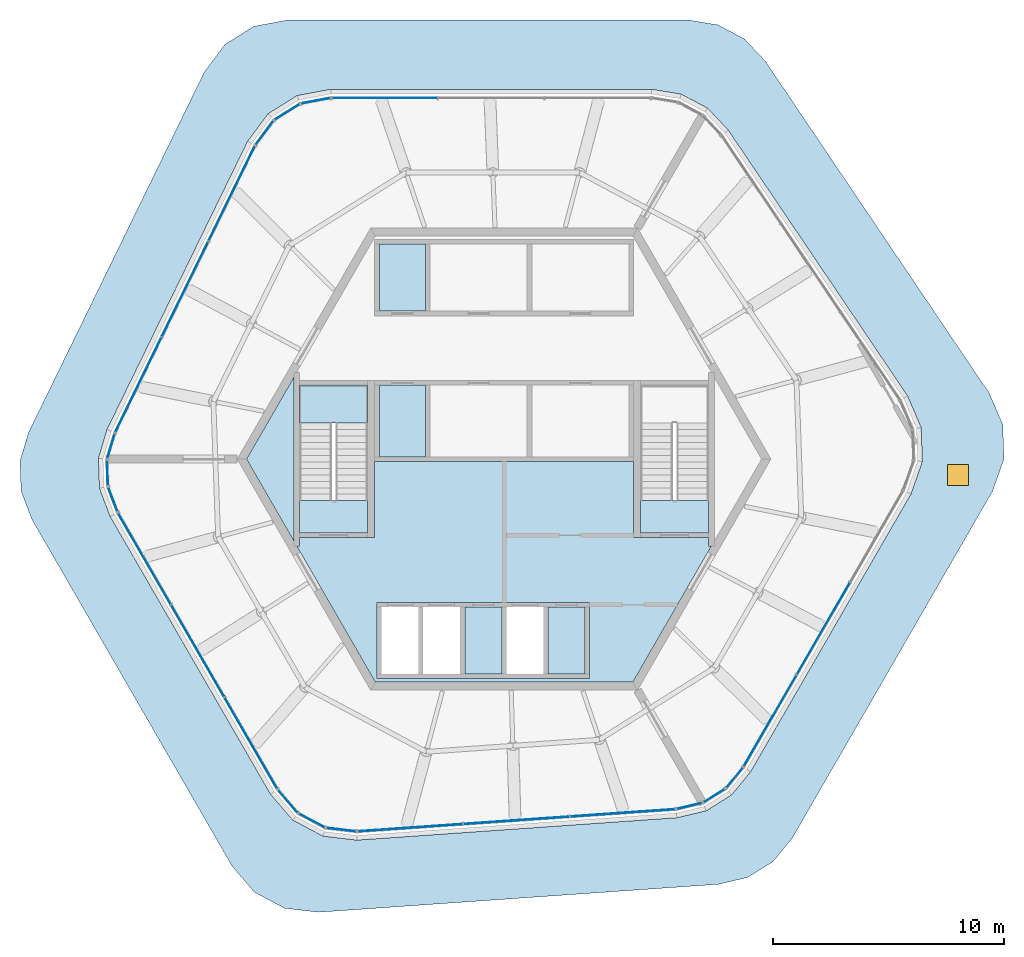
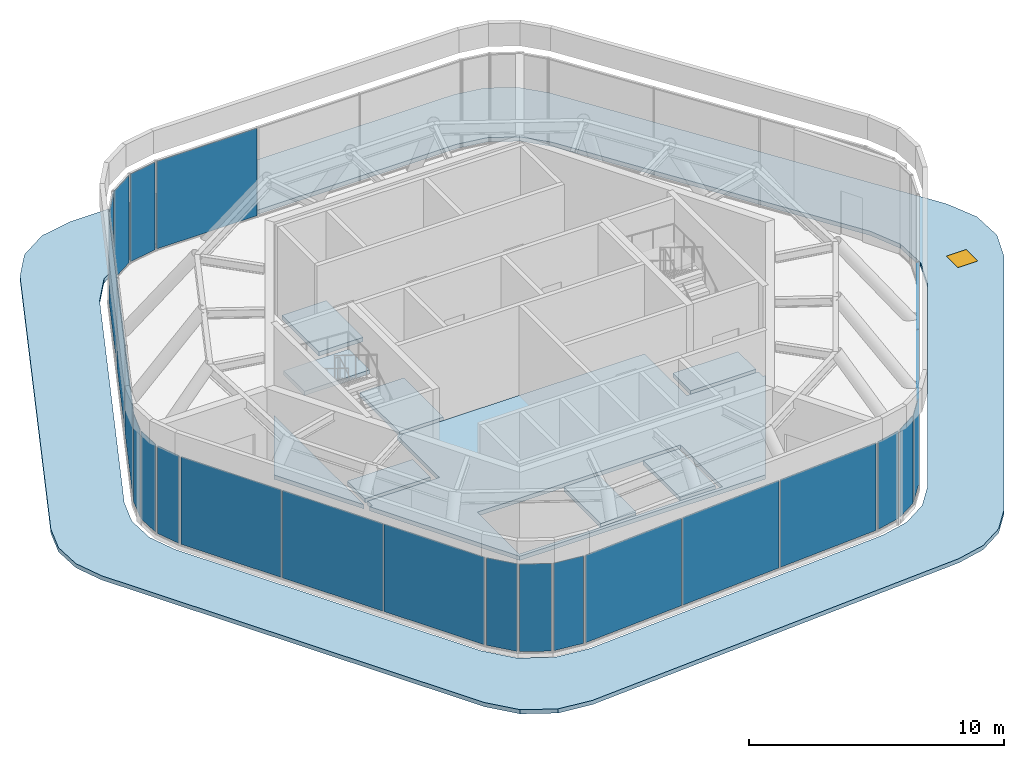
"""IFC4 building model written with IfcOpenShell, lengths in metres."""

from ifc_helpers import new_model, si_unit, direction, frame, origin, origin_2d, place, context, subcontext, project, spatial, polyline, rectangle, outline, extrude, material, layer, layer_set, type_object, element, fill, aggregate, save


model = new_model("IFC4")

# Units and contexts
model_context = context("Model", 3, precision=1e-05, world=origin(), true_north=direction((0.0, 1.0)))
body_context = subcontext(model_context, "Body", "Model", "MODEL_VIEW")
ifc_project = project(units=[si_unit("LENGTHUNIT", "METRE"), si_unit("AREAUNIT", "SQUARE_METRE"), si_unit("VOLUMEUNIT", "CUBIC_METRE"), si_unit("PLANEANGLEUNIT", "RADIAN"), si_unit("MASSUNIT", "GRAM", prefix="KILO")], contexts=[model_context])

# Site, building, storey
site_placement = place(None, origin())
site = spatial("IfcSite", under=ifc_project, at=site_placement, CompositionType="ELEMENT")
building_placement = place(site_placement, origin())
building = spatial("IfcBuilding", under=site, at=building_placement, Name="Tarnside Tower", CompositionType="ELEMENT")
storey_1_placement = place(building_placement, frame((0.0, 0.0, 397.199951171875)))
storey_1 = spatial("IfcBuildingStorey", under=building, at=storey_1_placement, Name="L94", CompositionType="ELEMENT", Elevation=397.199951171875)

# Slabs
ifc_material_1 = material(Name="Concrete C40/50", Category="concrete")
ifc_layer_1 = layer(ifc_material_1, 0.199951171875)
ifc_layer_set_1 = layer_set([ifc_layer_1], Name="Core crown slab C40/50")
slab_type_1 = type_object("IfcSlabType", Name="Core crown slab C40/50", PredefinedType="FLOOR", material=ifc_layer_set_1)
slab_1_placement = place(storey_1_placement, frame((0.0, 0.0, -0.199951171875)))
element("IfcSlab", 1, at=slab_1_placement, inside=storey_1, type_object=slab_type_1, Name="L94 core floor slab 2", PredefinedType="FLOOR", context=body_context, shape_type="SweptSolid", body=[
    extrude(outline(polyline([(-9.10009765625, -3.538330078125), (-11.142822265625, 0.0), (-9.10009765625, 3.538330078125), (-9.10009765625, -3.538330078125)])), origin(), (0.0, 0.0, 1.0), 0.199951171875),
])
slab_2_placement = place(storey_1_placement, frame((0.0, 0.0, -0.199951171875)))
element("IfcSlab", 2, at=slab_2_placement, inside=storey_1, type_object=slab_type_1, Name="L94 core floor slab 3", PredefinedType="FLOOR", context=body_context, shape_type="SweptSolid", body=[
    extrude(outline(polyline([(-8.85009765625, -3.7548828125), (-8.85009765625, -3.39990234375), (-5.89990234375, -3.39990234375), (-5.60009765625, -3.39990234375), (-5.60009765625, -0.10009765625), (5.60009765625, -0.10009765625), (5.60009765625, -3.39990234375), (5.89990234375, -3.39990234375), (8.85009765625, -3.39990234375), (8.85009765625, -3.7548828125), (8.97509765625, -3.7548828125), (5.5712890625, -9.64990234375), (-5.5712890625, -9.64990234375), (-8.97509765625, -3.7548828125), (-8.85009765625, -3.7548828125)]), holes=[polyline([(-5.5, -9.5), (3.699951171875, -9.5), (3.699951171875, -9.300048828125), (3.699951171875, -6.39990234375), (3.699951171875, -6.199951171875), (-5.5, -6.199951171875), (-5.5, -6.39990234375), (-5.5, -9.300048828125), (-5.5, -9.5)])]), origin(), (0.0, 0.0, 1.0), 0.199951171875),
])
slab_3_placement = place(storey_1_placement, frame((0.0, 0.0, -0.199951171875)))
element("IfcSlab", 3, at=slab_3_placement, inside=storey_1, type_object=slab_type_1, Name="L94 core floor slab 5", PredefinedType="FLOOR", context=body_context, shape_type="SweptSolid", body=[
    extrude(outline(polyline([(-3.39990234375, 3.199951171875), (-3.39990234375, 0.10009765625), (-5.39990234375, 0.10009765625), (-5.39990234375, 3.199951171875), (-3.39990234375, 3.199951171875)])), origin(), (0.0, 0.0, 1.0), 0.199951171875),
])
slab_4_placement = place(storey_1_placement, frame((0.0, 0.0, -0.199951171875)))
element("IfcSlab", 4, at=slab_4_placement, inside=storey_1, type_object=slab_type_1, Name="L94 core floor slab 6", PredefinedType="FLOOR", context=body_context, shape_type="SweptSolid", body=[
    extrude(outline(polyline([(-8.85009765625, -3.199951171875), (-8.85009765625, -1.800048828125), (-5.89990234375, -1.800048828125), (-5.89990234375, -3.199951171875), (-8.85009765625, -3.199951171875)])), origin(), (0.0, 0.0, 1.0), 0.199951171875),
])
slab_5_placement = place(storey_1_placement, frame((0.0, 0.0, -0.199951171875)))
element("IfcSlab", 5, at=slab_5_placement, inside=storey_1, type_object=slab_type_1, Name="L94 core floor slab 9", PredefinedType="FLOOR", context=body_context, shape_type="SweptSolid", body=[
    extrude(outline(polyline([(5.89990234375, -1.800048828125), (8.85009765625, -1.800048828125), (8.85009765625, -3.199951171875), (5.89990234375, -3.199951171875), (5.89990234375, -1.800048828125)])), origin(), (0.0, 0.0, 1.0), 0.199951171875),
])
slab_6_placement = place(storey_1_placement, frame((0.0, 0.0, -0.199951171875)))
element("IfcSlab", 6, at=slab_6_placement, inside=storey_1, type_object=slab_type_1, Name="L94 core floor slab 10", PredefinedType="FLOOR", context=body_context, shape_type="SweptSolid", body=[
    extrude(outline(polyline([(3.5, -9.300048828125), (1.89990234375, -9.300048828125), (1.89990234375, -6.39990234375), (3.5, -6.39990234375), (3.5, -9.300048828125)])), origin(), (0.0, 0.0, 1.0), 0.199951171875),
])
slab_7_placement = place(storey_1_placement, frame((0.0, 0.0, -0.199951171875)))
element("IfcSlab", 7, at=slab_7_placement, inside=storey_1, type_object=slab_type_1, Name="L94 core floor slab 11", PredefinedType="FLOOR", context=body_context, shape_type="SweptSolid", body=[
    extrude(outline(polyline([(-0.10009765625, -9.300048828125), (-1.699951171875, -9.300048828125), (-1.699951171875, -6.39990234375), (-0.10009765625, -6.39990234375), (-0.10009765625, -9.300048828125)])), origin(), (0.0, 0.0, 1.0), 0.199951171875),
])
slab_8_placement = place(storey_1_placement, frame((0.0, 0.0, -0.199951171875)))
element("IfcSlab", 8, at=slab_8_placement, inside=storey_1, type_object=slab_type_1, Name="L94 core floor slab 12", PredefinedType="FLOOR", context=body_context, shape_type="SweptSolid", body=[
    extrude(outline(polyline([(-3.39990234375, 9.300048828125), (-3.39990234375, 6.39990234375), (-5.39990234375, 6.39990234375), (-5.39990234375, 9.300048828125), (-3.39990234375, 9.300048828125)])), origin(), (0.0, 0.0, 1.0), 0.199951171875),
])

# Curtain wall, plate
ifc_material_2 = material(Name="Crown glazing wall", Category="glass")
curtain_wall_type = type_object("IfcCurtainWallType", Name="Crown glazing wall", PredefinedType="NOTDEFINED", material=ifc_material_2)
curtain_wall_1_placement = place(storey_1_placement, origin())
curtain_wall_1 = element("IfcCurtainWall", 9, at=curtain_wall_1_placement, inside=storey_1, type_object=curtain_wall_type, Name="Crown glazing L94 09", PredefinedType="NOTDEFINED")
ifc_material_3 = material(Name="Low-iron safety glass", Category="glass")
ifc_layer_2 = layer(ifc_material_3, 0.028076171875)
ifc_layer_set_2 = layer_set([ifc_layer_2], Name="Crown glazing panel 28")
plate_type_1 = type_object("IfcPlateType", Name="Crown glazing panel 28", PredefinedType="CURTAIN_PANEL", material=ifc_layer_set_2)
plate_1_placement = place(storey_1_placement, frame((9.97607421875, -13.787109375, 0.05029296875), z_axis=(0.0, 0.0, 1.0), x_axis=(-0.633830967178, -0.773471592915, 0.0)))
plate_1 = element("IfcPlate", 10, at=plate_1_placement, type_object=plate_type_1, Name="CW6 panel 1.1", PredefinedType="CURTAIN_PANEL", context=body_context, shape_type="SweptSolid", body=[
    extrude(rectangle(XDim=1.0947265625, YDim=0.028076171875, at=origin_2d()), origin(), (0.0, 0.0, 1.0), 4.199951171875),
])
aggregate(curtain_wall_1, [plate_1])

curtain_wall_2_placement = place(storey_1_placement, origin())
curtain_wall_2 = element("IfcCurtainWall", 11, at=curtain_wall_2_placement, inside=storey_1, type_object=curtain_wall_type, Name="Crown glazing L94 10", PredefinedType="NOTDEFINED")
plate_2_placement = place(storey_1_placement, frame((9.0986328125, -14.560791015625, 0.05029296875), z_axis=(0.0, 0.0, 1.0), x_axis=(-0.84804809624, -0.5299192641, 0.0)))
plate_2 = element("IfcPlate", 12, at=plate_2_placement, type_object=plate_type_1, Name="CW6 panel 1.1", PredefinedType="CURTAIN_PANEL", context=body_context, shape_type="SweptSolid", body=[
    extrude(rectangle(XDim=1.076416015625, YDim=0.028076171875, at=origin_2d()), origin(), (0.0, 0.0, 1.0), 4.199951171875),
])
aggregate(curtain_wall_2, [plate_2])

curtain_wall_3_placement = place(storey_1_placement, origin())
curtain_wall_3 = element("IfcCurtainWall", 13, at=curtain_wall_3_placement, inside=storey_1, type_object=curtain_wall_type, Name="Crown glazing L94 11", PredefinedType="NOTDEFINED")
plate_3_placement = place(storey_1_placement, frame((8.0185546875, -15.01025390625, 0.05029296875), z_axis=(0.0, 0.0, 1.0), x_axis=(-0.973044870658, -0.230615870414, 0.0)))
plate_3 = element("IfcPlate", 14, at=plate_3_placement, type_object=plate_type_1, Name="CW6 panel 1.1", PredefinedType="CURTAIN_PANEL", context=body_context, shape_type="SweptSolid", body=[
    extrude(rectangle(XDim=1.0947265625, YDim=0.028076171875, at=origin_2d()), origin(), (0.0, 0.0, 1.0), 4.199951171875),
])
aggregate(curtain_wall_3, [plate_3])

curtain_wall_4_placement = place(storey_1_placement, origin())
curtain_wall_4 = element("IfcCurtainWall", 15, at=curtain_wall_4_placement, inside=storey_1, type_object=curtain_wall_type, Name="Crown glazing L94 13", PredefinedType="NOTDEFINED")
plate_4_placement = place(storey_1_placement, frame((-7.04638671875, -16.034423828125, 0.05029296875), z_axis=(0.0, 0.0, 1.0), x_axis=(-0.993238357745, 0.116092914096, 0.0)))
plate_4 = element("IfcPlate", 16, at=plate_4_placement, type_object=plate_type_1, Name="CW6 panel 1.1", PredefinedType="CURTAIN_PANEL", context=body_context, shape_type="SweptSolid", body=[
    extrude(rectangle(XDim=1.26318359375, YDim=0.028076171875, at=origin_2d()), origin(), (0.0, 0.0, 1.0), 4.199951171875),
])
aggregate(curtain_wall_4, [plate_4])

curtain_wall_5_placement = place(storey_1_placement, origin())
curtain_wall_5 = element("IfcCurtainWall", 17, at=curtain_wall_5_placement, inside=storey_1, type_object=curtain_wall_type, Name="Crown glazing L94 14", PredefinedType="NOTDEFINED")
plate_5_placement = place(storey_1_placement, frame((-8.31591796875, -15.64013671875, 0.05029296875), z_axis=(0.0, 0.0, 1.0), x_axis=(-0.882947592695, 0.469471563094, 0.0)))
plate_5 = element("IfcPlate", 18, at=plate_5_placement, type_object=plate_type_1, Name="CW6 panel 1.1", PredefinedType="CURTAIN_PANEL", context=body_context, shape_type="SweptSolid", body=[
    extrude(rectangle(XDim=1.242431640625, YDim=0.028076171875, at=origin_2d()), origin(), (0.0, 0.0, 1.0), 4.199951171875),
])
aggregate(curtain_wall_5, [plate_5])

curtain_wall_6_placement = place(storey_1_placement, origin())
curtain_wall_6 = element("IfcCurtainWall", 19, at=curtain_wall_6_placement, inside=storey_1, type_object=curtain_wall_type, Name="Crown glazing L94 15", PredefinedType="NOTDEFINED")
plate_6_placement = place(storey_1_placement, frame((-9.352783203125, -14.80810546875, 0.05029296875), z_axis=(0.0, 0.0, 1.0), x_axis=(-0.651657228945, 0.758513583243, 0.0)))
plate_6 = element("IfcPlate", 20, at=plate_6_placement, type_object=plate_type_1, Name="CW6 panel 1.1", PredefinedType="CURTAIN_PANEL", context=body_context, shape_type="SweptSolid", body=[
    extrude(rectangle(XDim=1.26318359375, YDim=0.028076171875, at=origin_2d()), origin(), (0.0, 0.0, 1.0), 4.199951171875),
])
aggregate(curtain_wall_6, [plate_6])

curtain_wall_7_placement = place(storey_1_placement, origin())
curtain_wall_7 = element("IfcCurtainWall", 21, at=curtain_wall_7_placement, inside=storey_1, type_object=curtain_wall_type, Name="Crown glazing L94 17", PredefinedType="NOTDEFINED")
plate_7_placement = place(storey_1_placement, frame((-16.927978515625, -1.74609375, 0.05029296875), z_axis=(0.0, 0.0, 1.0), x_axis=(-0.352930564752, 0.935649515825, 0.0)))
plate_7 = element("IfcPlate", 22, at=plate_7_placement, type_object=plate_type_1, Name="CW6 panel 1.1", PredefinedType="CURTAIN_PANEL", context=body_context, shape_type="SweptSolid", body=[
    extrude(rectangle(XDim=1.0947265625, YDim=0.028076171875, at=origin_2d()), origin(), (0.0, 0.0, 1.0), 4.199951171875),
])
aggregate(curtain_wall_7, [plate_7])

curtain_wall_8_placement = place(storey_1_placement, origin())
curtain_wall_8 = element("IfcCurtainWall", 23, at=curtain_wall_8_placement, inside=storey_1, type_object=curtain_wall_type, Name="Crown glazing L94 18", PredefinedType="NOTDEFINED")
plate_8_placement = place(storey_1_placement, frame((-17.159423828125, -0.59912109375, 0.05029296875), z_axis=(0.0, 0.0, 1.0), x_axis=(-0.034899496232, 0.999390827036, 0.0)))
plate_8 = element("IfcPlate", 24, at=plate_8_placement, type_object=plate_type_1, Name="CW6 panel 1.1", PredefinedType="CURTAIN_PANEL", context=body_context, shape_type="SweptSolid", body=[
    extrude(rectangle(XDim=1.076416015625, YDim=0.028076171875, at=origin_2d()), origin(), (0.0, 0.0, 1.0), 4.199951171875),
])
aggregate(curtain_wall_8, [plate_8])

curtain_wall_9_placement = place(storey_1_placement, origin())
curtain_wall_9 = element("IfcCurtainWall", 25, at=curtain_wall_9_placement, inside=storey_1, type_object=curtain_wall_type, Name="Crown glazing L94 19", PredefinedType="NOTDEFINED")
plate_9_placement = place(storey_1_placement, frame((-17.008544921875, 0.560791015625, 0.05029296875), z_axis=(0.0, 0.0, 1.0), x_axis=(0.286803232884, 0.957989512264, 0.0)))
plate_9 = element("IfcPlate", 26, at=plate_9_placement, type_object=plate_type_1, Name="CW6 panel 1.1", PredefinedType="CURTAIN_PANEL", context=body_context, shape_type="SweptSolid", body=[
    extrude(rectangle(XDim=1.0947265625, YDim=0.028076171875, at=origin_2d()), origin(), (0.0, 0.0, 1.0), 4.199951171875),
])
aggregate(curtain_wall_9, [plate_9])

curtain_wall_10_placement = place(storey_1_placement, origin())
curtain_wall_10 = element("IfcCurtainWall", 27, at=curtain_wall_10_placement, inside=storey_1, type_object=curtain_wall_type, Name="Crown glazing L94 21", PredefinedType="NOTDEFINED")
plate_10_placement = place(storey_1_placement, frame((-10.363037109375, 14.11962890625, 0.05029296875), z_axis=(0.0, 0.0, 1.0), x_axis=(0.597158591567, 0.802123192856, 0.0)))
plate_10 = element("IfcPlate", 28, at=plate_10_placement, type_object=plate_type_1, Name="CW6 panel 1.1", PredefinedType="CURTAIN_PANEL", context=body_context, shape_type="SweptSolid", body=[
    extrude(rectangle(XDim=1.26318359375, YDim=0.028076171875, at=origin_2d()), origin(), (0.0, 0.0, 1.0), 4.199951171875),
])
aggregate(curtain_wall_10, [plate_10])

curtain_wall_11_placement = place(storey_1_placement, origin())
curtain_wall_11 = element("IfcCurtainWall", 29, at=curtain_wall_11_placement, inside=storey_1, type_object=curtain_wall_type, Name="Crown glazing L94 22", PredefinedType="NOTDEFINED")
plate_11_placement = place(storey_1_placement, frame((-9.38671875, 15.02197265625, 0.05029296875), z_axis=(0.0, 0.0, 1.0), x_axis=(0.848048096203, 0.529919264159, 0.0)))
plate_11 = element("IfcPlate", 30, at=plate_11_placement, type_object=plate_type_1, Name="CW6 panel 1.1", PredefinedType="CURTAIN_PANEL", context=body_context, shape_type="SweptSolid", body=[
    extrude(rectangle(XDim=1.242431640625, YDim=0.028076171875, at=origin_2d()), origin(), (0.0, 0.0, 1.0), 4.199951171875),
])
aggregate(curtain_wall_11, [plate_11])

curtain_wall_12_placement = place(storey_1_placement, origin())
curtain_wall_12 = element("IfcCurtainWall", 31, at=curtain_wall_12_placement, inside=storey_1, type_object=curtain_wall_type, Name="Crown glazing L94 23", PredefinedType="NOTDEFINED")
plate_12_placement = place(storey_1_placement, frame((-8.147705078125, 15.50390625, 0.05029296875), z_axis=(0.0, 0.0, 1.0), x_axis=(0.982720646738, 0.185094922879, 0.0)))
plate_12 = element("IfcPlate", 32, at=plate_12_placement, type_object=plate_type_1, Name="CW6 panel 1.1", PredefinedType="CURTAIN_PANEL", context=body_context, shape_type="SweptSolid", body=[
    extrude(rectangle(XDim=1.26318359375, YDim=0.028076171875, at=origin_2d()), origin(), (0.0, 0.0, 1.0), 4.199951171875),
])
aggregate(curtain_wall_12, [plate_12])

curtain_wall_13_placement = place(storey_1_placement, origin())
curtain_wall_13 = element("IfcCurtainWall", 33, at=curtain_wall_13_placement, inside=storey_1, type_object=curtain_wall_type, Name="Crown glazing L94 00", PredefinedType="NOTDEFINED")
ifc_material_4 = material(Name="Insulated aluminium panel", Category="aluminium")
ifc_layer_3 = layer(ifc_material_4, 0.028076171875)
ifc_layer_set_3 = layer_set([ifc_layer_3], Name="Crown glazing spandrel panel 28")
plate_type_2 = type_object("IfcPlateType", Name="Crown glazing spandrel panel 28", PredefinedType="CURTAIN_PANEL", material=ifc_layer_set_3)
plate_13_placement = place(storey_1_placement, frame((-5.15869140625, 15.6298828125, 0.05029296875), z_axis=(0.0, 0.0, 1.0), x_axis=(1.0, 0.0, 0.0)))
plate_13 = element("IfcPlate", 34, at=plate_13_placement, type_object=plate_type_2, Name="CW6 panel 1.1", PredefinedType="CURTAIN_PANEL", context=body_context, shape_type="SweptSolid", body=[
    extrude(rectangle(XDim=4.53857421875, YDim=0.028076171875, at=origin_2d()), origin(), (0.0, 0.0, 1.0), 4.199951171875),
])
aggregate(curtain_wall_13, [plate_13])

# Curtain wall, plates
curtain_wall_14_placement = place(storey_1_placement, origin())
curtain_wall_14 = element("IfcCurtainWall", 35, at=curtain_wall_14_placement, inside=storey_1, type_object=curtain_wall_type, Name="Crown glazing L94 08", PredefinedType="NOTDEFINED")
plate_14_placement = place(storey_1_placement, frame((13.814697265625, -7.33203125, 0.05029296875), z_axis=(0.0, 0.0, 1.0), x_axis=(-0.500000000015, -0.866025403776, 0.0)))
plate_14 = element("IfcPlate", 36, at=plate_14_placement, type_object=plate_type_2, Name="CW6 panel 2.1", PredefinedType="CURTAIN_PANEL", context=body_context, shape_type="SweptSolid", body=[
    extrude(rectangle(XDim=4.5634765625, YDim=0.028076171875, at=origin_2d()), origin(), (0.0, 0.0, 1.0), 4.199951171875),
])
plate_15_placement = place(storey_1_placement, frame((11.514404296875, -11.316650390625, 0.05029296875), z_axis=(0.0, 0.0, 1.0), x_axis=(-0.500000000015, -0.866025403776, 0.0)))
plate_15 = element("IfcPlate", 37, at=plate_15_placement, type_object=plate_type_2, Name="CW6 panel 3.1", PredefinedType="CURTAIN_PANEL", context=body_context, shape_type="SweptSolid", body=[
    extrude(rectangle(XDim=4.53857421875, YDim=0.028076171875, at=origin_2d()), origin(), (0.0, 0.0, 1.0), 4.199951171875),
])
aggregate(curtain_wall_14, [plate_14, plate_15])

curtain_wall_15_placement = place(storey_1_placement, origin())
curtain_wall_15 = element("IfcCurtainWall", 38, at=curtain_wall_15_placement, inside=storey_1, type_object=curtain_wall_type, Name="Crown glazing L94 12", PredefinedType="NOTDEFINED")
plate_16_placement = place(storey_1_placement, frame((5.123779296875, -15.309814453125, 0.05029296875), z_axis=(0.0, 0.0, 1.0), x_axis=(-0.997564050259, -0.069756473762, 0.0)))
plate_16 = element("IfcPlate", 39, at=plate_16_placement, type_object=plate_type_2, Name="CW6 panel 1.1", PredefinedType="CURTAIN_PANEL", context=body_context, shape_type="SweptSolid", body=[
    extrude(rectangle(XDim=4.53857421875, YDim=0.028076171875, at=origin_2d()), origin(), (0.0, 0.0, 1.0), 4.199951171875),
])
plate_17_placement = place(storey_1_placement, frame((0.533935546875, -15.630859375, 0.05029296875), z_axis=(0.0, 0.0, 1.0), x_axis=(-0.997564050259, -0.069756473762, 0.0)))
plate_17 = element("IfcPlate", 40, at=plate_17_placement, type_object=plate_type_2, Name="CW6 panel 2.1", PredefinedType="CURTAIN_PANEL", context=body_context, shape_type="SweptSolid", body=[
    extrude(rectangle(XDim=4.5634765625, YDim=0.028076171875, at=origin_2d()), origin(), (0.0, 0.0, 1.0), 4.199951171875),
])
plate_18_placement = place(storey_1_placement, frame((-4.055908203125, -15.95166015625, 0.05029296875), z_axis=(0.0, 0.0, 1.0), x_axis=(-0.997564050259, -0.069756473762, 0.0)))
plate_18 = element("IfcPlate", 41, at=plate_18_placement, type_object=plate_type_2, Name="CW6 panel 3.1", PredefinedType="CURTAIN_PANEL", context=body_context, shape_type="SweptSolid", body=[
    extrude(rectangle(XDim=4.53857421875, YDim=0.028076171875, at=origin_2d()), origin(), (0.0, 0.0, 1.0), 4.199951171875),
])
aggregate(curtain_wall_15, [plate_16, plate_17, plate_18])

curtain_wall_16_placement = place(storey_1_placement, origin())
curtain_wall_16 = element("IfcCurtainWall", 42, at=curtain_wall_16_placement, inside=storey_1, type_object=curtain_wall_type, Name="Crown glazing L94 16", PredefinedType="NOTDEFINED")
plate_19_placement = place(storey_1_placement, frame((-10.95654296875, -12.282470703125, 0.05029296875), z_axis=(0.0, 0.0, 1.0), x_axis=(-0.500000000015, 0.866025403776, 0.0)))
plate_19 = element("IfcPlate", 43, at=plate_19_placement, type_object=plate_type_2, Name="CW6 panel 1.1", PredefinedType="CURTAIN_PANEL", context=body_context, shape_type="SweptSolid", body=[
    extrude(rectangle(XDim=4.53857421875, YDim=0.028076171875, at=origin_2d()), origin(), (0.0, 0.0, 1.0), 4.199951171875),
])
plate_20_placement = place(storey_1_placement, frame((-13.257080078125, -8.2978515625, 0.05029296875), z_axis=(0.0, 0.0, 1.0), x_axis=(-0.500000000015, 0.866025403776, 0.0)))
plate_20 = element("IfcPlate", 44, at=plate_20_placement, type_object=plate_type_2, Name="CW6 panel 2.1", PredefinedType="CURTAIN_PANEL", context=body_context, shape_type="SweptSolid", body=[
    extrude(rectangle(XDim=4.5634765625, YDim=0.028076171875, at=origin_2d()), origin(), (0.0, 0.0, 1.0), 4.199951171875),
])
plate_21_placement = place(storey_1_placement, frame((-15.5576171875, -4.3134765625, 0.05029296875), z_axis=(0.0, 0.0, 1.0), x_axis=(-0.500000000015, 0.866025403776, 0.0)))
plate_21 = element("IfcPlate", 45, at=plate_21_placement, type_object=plate_type_2, Name="CW6 panel 3.1", PredefinedType="CURTAIN_PANEL", context=body_context, shape_type="SweptSolid", body=[
    extrude(rectangle(XDim=4.53857421875, YDim=0.028076171875, at=origin_2d()), origin(), (0.0, 0.0, 1.0), 4.199951171875),
])
aggregate(curtain_wall_16, [plate_19, plate_20, plate_21])

curtain_wall_17_placement = place(storey_1_placement, origin())
curtain_wall_17 = element("IfcCurtainWall", 46, at=curtain_wall_17_placement, inside=storey_1, type_object=curtain_wall_type, Name="Crown glazing L94 20", PredefinedType="NOTDEFINED")
plate_22_placement = place(storey_1_placement, frame((-15.820556640625, 3.217529296875, 0.05029296875), z_axis=(0.0, 0.0, 1.0), x_axis=(0.438371146742, 0.898794046322, 0.0)))
plate_22 = element("IfcPlate", 47, at=plate_22_placement, type_object=plate_type_2, Name="CW6 panel 1.1", PredefinedType="CURTAIN_PANEL", context=body_context, shape_type="SweptSolid", body=[
    extrude(rectangle(XDim=4.53857421875, YDim=0.028076171875, at=origin_2d()), origin(), (0.0, 0.0, 1.0), 4.199951171875),
])
plate_23_placement = place(storey_1_placement, frame((-13.8037109375, 7.35302734375, 0.05029296875), z_axis=(0.0, 0.0, 1.0), x_axis=(0.438371146742, 0.898794046322, 0.0)))
plate_23 = element("IfcPlate", 48, at=plate_23_placement, type_object=plate_type_2, Name="CW6 panel 2.1", PredefinedType="CURTAIN_PANEL", context=body_context, shape_type="SweptSolid", body=[
    extrude(rectangle(XDim=4.5634765625, YDim=0.028076171875, at=origin_2d()), origin(), (0.0, 0.0, 1.0), 4.199951171875),
])
plate_24_placement = place(storey_1_placement, frame((-11.786865234375, 11.48828125, 0.05029296875), z_axis=(0.0, 0.0, 1.0), x_axis=(0.438371146742, 0.898794046322, 0.0)))
plate_24 = element("IfcPlate", 49, at=plate_24_placement, type_object=plate_type_2, Name="CW6 panel 3.1", PredefinedType="CURTAIN_PANEL", context=body_context, shape_type="SweptSolid", body=[
    extrude(rectangle(XDim=4.53857421875, YDim=0.028076171875, at=origin_2d()), origin(), (0.0, 0.0, 1.0), 4.199951171875),
])
aggregate(curtain_wall_17, [plate_22, plate_23, plate_24])

# Slab, opening
ifc_material_5 = material(Name="Concrete C35/45", Category="concrete")
ifc_layer_4 = layer(ifc_material_5, 0.199951171875)
ifc_layer_set_4 = layer_set([ifc_layer_4], Name="Setback roof slab 200")
slab_type_2 = type_object("IfcSlabType", Name="Setback roof slab 200", PredefinedType="ROOF", material=ifc_layer_set_4)
slab_9_placement = place(storey_1_placement, frame((0.0, 0.0, -0.199951171875)))
slab_9 = element("IfcSlab", 50, at=slab_9_placement, inside=storey_1, type_object=slab_type_2, Name="Setback roof L93", PredefinedType="ROOF", context=body_context, shape_type="SweptSolid", body=[
    extrude(outline(polyline([(9.255859375, 18.78955078125), (10.4013671875, 18.180419921875), (11.291748046875, 17.23681640625), (20.9931640625, 2.85400390625), (21.57958984375, 1.494384765625), (21.63134765625, 0.0146484375), (21.14111328125, -1.3828125), (12.466552734375, -16.4072265625), (11.644287109375, -17.41064453125), (10.5439453125, -18.09814453125), (9.281494140625, -18.3974609375), (-8.02490234375, -19.607666015625), (-9.49560546875, -19.435546875), (-10.802978515625, -18.740478515625), (-11.76806640625, -17.6171875), (-20.4423828125, -2.5927734375), (-20.900146484375, -1.37890625), (-20.945556640625, -0.082275390625), (-20.573486328125, 1.16064453125), (-12.96826171875, 16.75341796875), (-12.083984375, 17.941162109375), (-10.828125, 18.725830078125), (-9.373046875, 19.0), (7.9755859375, 19.0), (9.255859375, 18.78955078125)]), holes=[polyline([(6.380615234375, 16.0), (-7.49853515625, 16.0), (-8.95361328125, 15.725830078125), (-10.20947265625, 14.941162109375), (-11.093505859375, 13.75341796875), (-17.177734375, 1.279052734375), (-17.5498046875, 0.0361328125), (-17.504638671875, -1.260498046875), (-17.046630859375, -2.474365234375), (-10.107177734375, -14.493896484375), (-9.142333984375, -15.616943359375), (-7.834716796875, -16.312255859375), (-6.364013671875, -16.484130859375), (7.48095703125, -15.515869140625), (8.743408203125, -15.216796875), (9.84375, -14.529296875), (10.666259765625, -13.525634765625), (17.605712890625, -1.506103515625), (18.095947265625, -0.10888671875), (18.044189453125, 1.370849609375), (17.457763671875, 2.730712890625), (9.69677734375, 14.23681640625), (8.806396484375, 15.180419921875), (7.66064453125, 15.78955078125), (6.380615234375, 16.0)])]), origin(), (0.0, 0.0, 1.0), 0.199951171875),
])
opening_placement = place(slab_9_placement, frame((19.639892578125, -0.6845703125, 0.0)))
opening = element("IfcOpeningElement", 51, at=opening_placement, cuts=slab_9, Name="Opening RH", PredefinedType="OPENING", context=body_context, shape_type="SweptSolid", body=[
    extrude(rectangle(XDim=0.89990234375, YDim=0.89990234375, at=origin_2d()), origin(), (0.0, 0.0, 1.0), 0.199951171875),
])

# Storey
storey_2_placement = place(building_placement, frame((0.0, 0.0, 392.699951171875)))
storey_2 = spatial("IfcBuildingStorey", under=building, at=storey_2_placement, Name="L93", CompositionType="ELEMENT", Elevation=392.699951171875)

# Door
ifc_material_6 = material(Name="Aluminium alloy 6063", Category="aluminium")
door_type = type_object("IfcDoorType", Name="Roof access hatch 900 x 900", OperationType="NOTDEFINED", PredefinedType="TRAPDOOR", material=ifc_material_6)
door_placement = place(opening_placement, frame((0.0, 0.0, 0.14990234375)))
door = element("IfcDoor", 52, at=door_placement, inside=storey_2, type_object=door_type, Name="Roof access hatch", OperationType="SINGLE_SWING_LEFT", OverallHeight=0.89990234375, OverallWidth=0.89990234375, PredefinedType="TRAPDOOR", context=body_context, shape_type="SweptSolid", body=[
    extrude(rectangle(XDim=0.89990234375, YDim=0.89990234375, at=origin_2d()), origin(), (0.0, 0.0, 1.0), 0.050048828125),
])

fill(opening, door)

# Stair, slab
stair_type = type_object("IfcStairType", Name="Exit stair 1400 clear", PredefinedType="HALF_TURN_STAIR", material=ifc_material_1)
stair_placement = place(storey_1_placement, origin())
stair = element("IfcStair", 53, at=stair_placement, inside=storey_1, type_object=stair_type, Name="L94 Exit stair 2", PredefinedType="HALF_TURN_STAIR")
ifc_layer_5 = layer(ifc_material_1, 0.199951171875)
ifc_layer_set_5 = layer_set([ifc_layer_5], Name="Stair landing 200 C40/50")
slab_type_3 = type_object("IfcSlabType", Name="Stair landing 200 C40/50", PredefinedType="LANDING", material=ifc_layer_set_5)
slab_10_placement = place(storey_1_placement, frame((0.0, 0.0, 2.050048828125)))
slab_10 = element("IfcSlab", 54, at=slab_10_placement, type_object=slab_type_3, Name="ST2 landing 1", PredefinedType="LANDING", context=body_context, shape_type="SweptSolid", body=[
    extrude(outline(polyline([(-5.89990234375, 1.56005859375), (-5.89990234375, 3.199951171875), (-8.85009765625, 3.199951171875), (-8.85009765625, 1.56005859375), (-5.89990234375, 1.56005859375)])), origin(), (0.0, 0.0, 1.0), 0.199951171875),
])
aggregate(stair, [slab_10])

save(model, "model.ifc")
